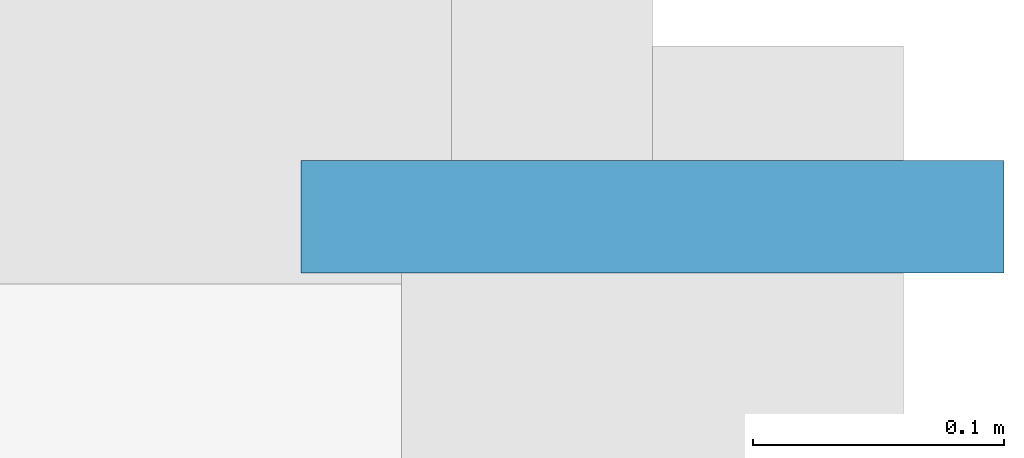
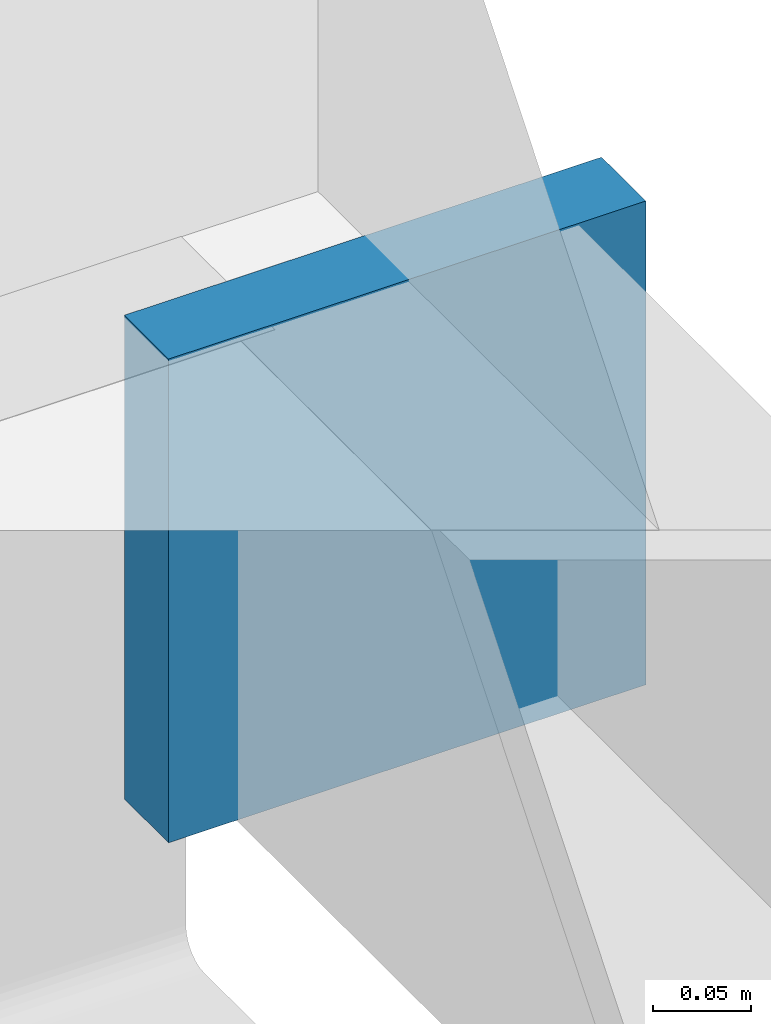
# One storey, part 19 of 24: 1 plate.
"""IFC4 building model written with IfcOpenShell, lengths in metres."""

from ifc_helpers import new_model, si_unit, direction, frame, origin, origin_2d, place, context, subcontext, project, spatial, rectangle, extrude, material, layer, layer_set, type_object, element, save


model = new_model("IFC4")

# Units and contexts
model_context = context("Model", 3, precision=1e-05, world=origin(), true_north=direction((0.0, 1.0)))
body_context = subcontext(model_context, "Body", "Model", "MODEL_VIEW")
ifc_project = project(units=[si_unit("LENGTHUNIT", "METRE"), si_unit("AREAUNIT", "SQUARE_METRE"), si_unit("VOLUMEUNIT", "CUBIC_METRE"), si_unit("PLANEANGLEUNIT", "RADIAN"), si_unit("MASSUNIT", "GRAM", prefix="KILO")], contexts=[model_context])

# Site, building, storey
site_placement = place(None, origin())
site = spatial("IfcSite", under=ifc_project, at=site_placement, CompositionType="ELEMENT")
building_placement = place(site_placement, origin())
building = spatial("IfcBuilding", under=site, at=building_placement, Name="Caisbarro Railhouse Central Library", CompositionType="ELEMENT")
storey_placement = place(building_placement, frame((0.0, 0.0, 22.320068359375)))
storey = spatial("IfcBuildingStorey", under=building, at=storey_placement, Name="L05", CompositionType="ELEMENT", Elevation=22.320068359375)

# Plate
ifc_material = material(Name="Steel ASTM A572 Grade 50", Category="steel")
ifc_layer = layer(ifc_material, 0.044921875, Name="Steel ASTM A572 Grade 50")
ifc_layer_set = layer_set([ifc_layer], Name="Steel ASTM A572 Grade 50")
plate_type = type_object("IfcPlateType", Name="PLT-EP01", PredefinedType="SHEET", material=ifc_layer_set)
plate_placement = place(storey_placement, frame((144.0, 113.931884765625, -0.5400390625), z_axis=(0.0, 0.0, 1.0), x_axis=(0.0, 1.0, 0.0)))
element("IfcPlate", 1, at=plate_placement, inside=storey, type_object=plate_type, Name="EP01 end cap plate", PredefinedType="SHEET", context=body_context, shape_type="SweptSolid", body=[
    extrude(rectangle(XDim=0.044921875, YDim=0.280029296875, at=origin_2d()), origin(), (0.0, 0.0, 1.0), 0.300048828125),
])

save(model, "model.ifc")
